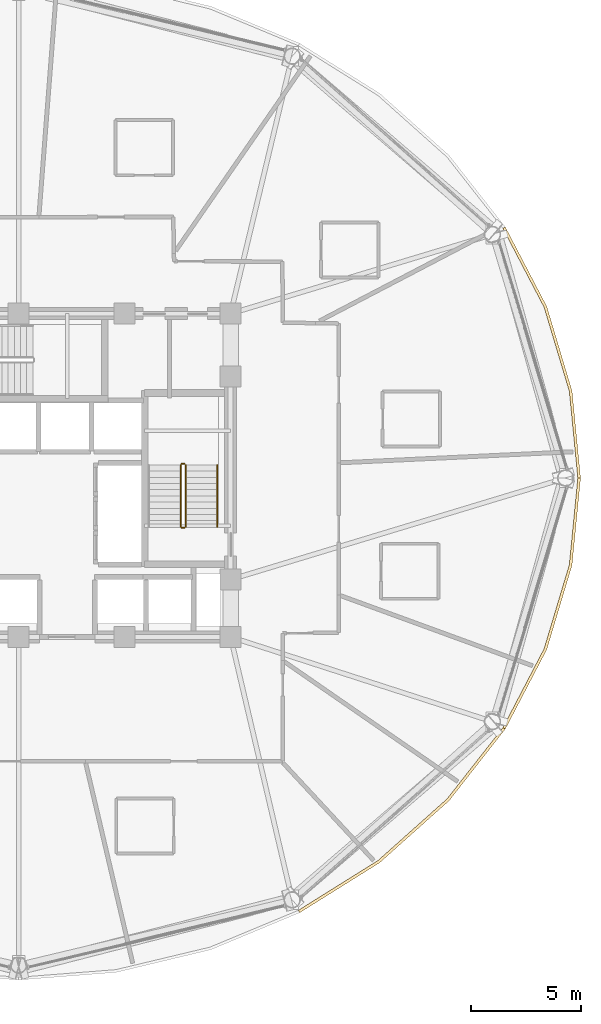
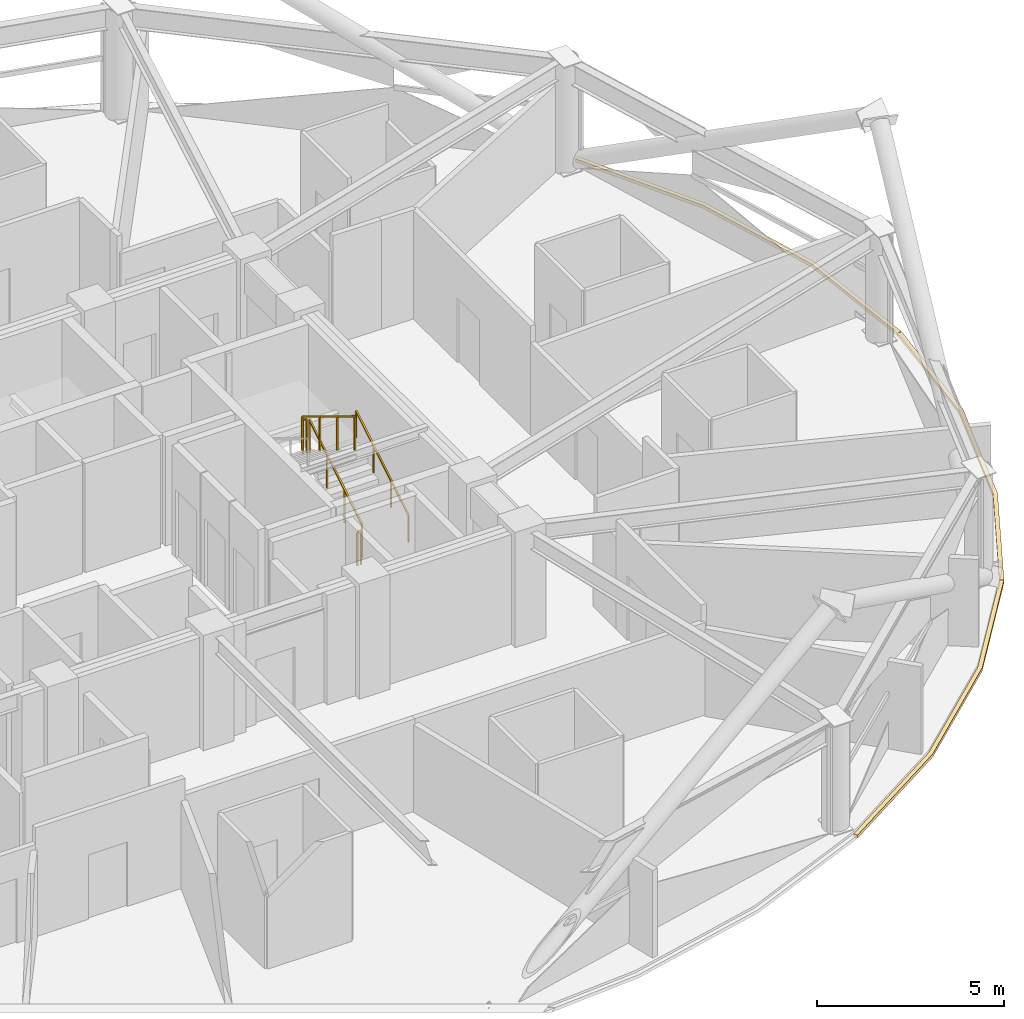
# One storey, part 28 of 29: 5 railings, 3 coverings.
"""IFC4 building model written with IfcOpenShell, lengths in metres."""

from ifc_helpers import new_model, si_unit, direction, frame, origin, origin_2d, place, context, subcontext, project, spatial, polyline, rectangle, outline, extrude, material, layer, layer_set, type_object, element, save


model = new_model("IFC4")

# Units and contexts
model_context = context("Model", 3, precision=1e-05, world=origin(), true_north=direction((0.0, 1.0)))
body_context = subcontext(model_context, "Body", "Model", "MODEL_VIEW")
ifc_project = project(units=[si_unit("LENGTHUNIT", "METRE"), si_unit("AREAUNIT", "SQUARE_METRE"), si_unit("VOLUMEUNIT", "CUBIC_METRE"), si_unit("PLANEANGLEUNIT", "RADIAN"), si_unit("MASSUNIT", "GRAM", prefix="KILO")], contexts=[model_context])

# Site, building, storey
site_placement = place(None, origin())
site = spatial("IfcSite", under=ifc_project, at=site_placement, CompositionType="ELEMENT")
building_placement = place(site_placement, origin())
building = spatial("IfcBuilding", under=site, at=building_placement, Name="Vantalir Tower", CompositionType="ELEMENT")
storey_placement = place(building_placement, frame((0.0, 0.0, 157.199951171875)))
storey = spatial("IfcBuildingStorey", under=building, at=storey_placement, Name="L39", CompositionType="ELEMENT", Elevation=157.199951171875)

# Coverings
ifc_material_1 = material(Name="Anodised champagne aluminium sill fascia", Category="aluminium")
ifc_layer = layer(ifc_material_1, 0.125)
ifc_layer_set = layer_set([ifc_layer], Name="Anodised champagne aluminium sill fascia")
covering_type = type_object("IfcCoveringType", Name="COV-SLAB-FASCIA-125", PredefinedType="CLADDING", material=ifc_layer_set)
covering_1_placement = place(storey_placement, frame((0.0, 0.0, -0.179931640625)))
element("IfcCovering", 1, at=covering_1_placement, inside=storey, type_object=covering_type, Name="L39 Perimeter Slab-Edge Sill Fascia 01", PredefinedType="CLADDING", context=body_context, shape_type="SweptSolid", body=[
    extrude(outline(polyline([(56.9580078125, 25.0), (56.571044921875, 28.948974609375), (55.423095703125, 32.779052734375), (53.547119140625, 36.3720703125), (53.43896484375, 36.30908203125), (55.304931640625, 32.736083984375), (56.447998046875, 28.927978515625), (56.8330078125, 25.0), (56.9580078125, 25.0)])), origin(), (0.0, 0.0, 1.0), 0.10498046875),
])
covering_2_placement = place(storey_placement, frame((0.0, 0.0, -0.179931640625)))
element("IfcCovering", 2, at=covering_2_placement, inside=storey, type_object=covering_type, Name="L39 Perimeter Slab-Edge Sill Fascia 11", PredefinedType="CLADDING", context=body_context, shape_type="SweptSolid", body=[
    extrude(outline(polyline([(44.22900390625, 5.302978515625), (47.864013671875, 7.576904296875), (51.001953125, 10.3798828125), (53.547119140625, 13.6279296875), (53.43896484375, 13.68994140625), (50.906005859375, 10.4609375), (47.783935546875, 7.673095703125), (44.1669921875, 5.410888671875), (44.22900390625, 5.302978515625)])), origin(), (0.0, 0.0, 1.0), 0.10498046875),
])
covering_3_placement = place(storey_placement, frame((0.0, 0.0, -0.179931640625)))
element("IfcCovering", 3, at=covering_3_placement, inside=storey, type_object=covering_type, Name="L39 Perimeter Slab-Edge Sill Fascia 12", PredefinedType="CLADDING", context=body_context, shape_type="SweptSolid", body=[
    extrude(outline(polyline([(53.547119140625, 13.6279296875), (55.423095703125, 17.220947265625), (56.571044921875, 21.051025390625), (56.9580078125, 25.0), (56.8330078125, 25.0), (56.447998046875, 21.072021484375), (55.304931640625, 17.263916015625), (53.43896484375, 13.68994140625), (53.547119140625, 13.6279296875)])), origin(), (0.0, 0.0, 1.0), 0.10498046875),
])

# Railings
ifc_material_2 = material(Name="Anodised aluminium and stainless steel guard", Category="steel")
railing_type_1 = type_object("IfcRailingType", Name="RAL-GUARD-1120", PredefinedType="GUARDRAIL", material=ifc_material_2)
railing_1_placement = place(storey_placement, frame((39.06005859375, 22.7900390625, 0.17041015625)))
element("IfcRailing", 4, at=railing_1_placement, inside=storey, type_object=railing_type_1, Name="L39 ST2 stair guard 1", PredefinedType="GUARDRAIL", context=body_context, shape_type="SweptSolid", body=[
    extrude(rectangle(XDim=0.048095703125, YDim=0.048095703125, at=origin_2d()), frame((0.0, 0.0, 1.09619140625), z_axis=(0.0, 0.854169791009, 0.51999420009), x_axis=(-1.0, 0.0, 0.0)), (0.0, 0.0, 1.0), 3.278076171875),
    extrude(rectangle(XDim=0.0419921875, YDim=0.0419921875, at=origin_2d()), origin(), (0.0, 0.0, 1.0), 1.072021484375),
    extrude(rectangle(XDim=0.0419921875, YDim=0.0419921875, at=origin_2d()), frame((0.0, 0.933349609375, 0.568115234375)), (0.0, 0.0, 1.0), 1.072021484375),
    extrude(rectangle(XDim=0.0419921875, YDim=0.0419921875, at=origin_2d()), frame((0.0, 1.86669921875, 1.136474609375)), (0.0, 0.0, 1.0), 1.072021484375),
    extrude(rectangle(XDim=0.0419921875, YDim=0.0419921875, at=origin_2d()), frame((0.0, 2.800048828125, 1.70458984375)), (0.0, 0.0, 1.0), 1.072021484375),
])
railing_2_placement = place(storey_placement, frame((39.010009765625, 25.639892578125, 1.875)))
element("IfcRailing", 5, at=railing_2_placement, inside=storey, type_object=railing_type_1, Name="L39 ST2 stair guard 2", PredefinedType="GUARDRAIL", context=body_context, shape_type="SweptSolid", body=[
    extrude(rectangle(XDim=0.048095703125, YDim=0.048095703125, at=origin_2d()), frame((0.0, 0.0, 1.09619140625), z_axis=(-1.0, 0.0, 0.0), x_axis=(0.0, -1.0, 0.0)), (0.0, 0.0, 1.0), 0.1201171875),
    extrude(rectangle(XDim=0.0419921875, YDim=0.0419921875, at=origin_2d()), origin(), (0.0, 0.0, 1.0), 1.072021484375),
    extrude(rectangle(XDim=0.0419921875, YDim=0.0419921875, at=origin_2d()), frame((-0.1201171875, 0.0, 0.0)), (0.0, 0.0, 1.0), 1.072021484375),
])
railing_3_placement = place(storey_placement, frame((38.840087890625, 25.590087890625, 2.04541015625)))
element("IfcRailing", 6, at=railing_3_placement, inside=storey, type_object=railing_type_1, Name="L39 ST2 stair guard 3", PredefinedType="GUARDRAIL", context=body_context, shape_type="SweptSolid", body=[
    extrude(rectangle(XDim=0.048095703125, YDim=0.048095703125, at=origin_2d()), frame((0.0, 0.0, 1.09619140625), z_axis=(0.0, -0.854169791009, 0.51999420009), x_axis=(1.0, 0.0, 0.0)), (0.0, 0.0, 1.0), 3.278076171875),
    extrude(rectangle(XDim=0.0419921875, YDim=0.0419921875, at=origin_2d()), origin(), (0.0, 0.0, 1.0), 1.072021484375),
    extrude(rectangle(XDim=0.0419921875, YDim=0.0419921875, at=origin_2d()), frame((0.0, -0.933349609375, 0.568115234375)), (0.0, 0.0, 1.0), 1.072021484375),
    extrude(rectangle(XDim=0.0419921875, YDim=0.0419921875, at=origin_2d()), frame((0.0, -1.86669921875, 1.136474609375)), (0.0, 0.0, 1.0), 1.072021484375),
    extrude(rectangle(XDim=0.0419921875, YDim=0.0419921875, at=origin_2d()), frame((0.0, -2.800048828125, 1.70458984375)), (0.0, 0.0, 1.0), 1.072021484375),
])
railing_4_placement = place(storey_placement, frame((39.010009765625, 22.739990234375, 0.0)))
element("IfcRailing", 7, at=railing_4_placement, inside=storey, type_object=railing_type_1, Name="L39 ST2 stair guard 4", PredefinedType="GUARDRAIL", context=body_context, shape_type="SweptSolid", body=[
    extrude(rectangle(XDim=0.048095703125, YDim=0.048095703125, at=origin_2d()), frame((0.0, 0.0, 1.09619140625), z_axis=(-1.0, 0.0, 0.0), x_axis=(0.0, -1.0, 0.0)), (0.0, 0.0, 1.0), 0.1201171875),
    extrude(rectangle(XDim=0.0419921875, YDim=0.0419921875, at=origin_2d()), origin(), (0.0, 0.0, 1.0), 1.072021484375),
    extrude(rectangle(XDim=0.0419921875, YDim=0.0419921875, at=origin_2d()), frame((-0.1201171875, 0.0, 0.0)), (0.0, 0.0, 1.0), 1.072021484375),
])
ifc_material_3 = material(Name="Brushed stainless steel tubular handrail", Category="steel")
railing_type_2 = type_object("IfcRailingType", Name="RAL-HANDRAIL-900", PredefinedType="HANDRAIL", material=ifc_material_3)
railing_5_placement = place(storey_placement, frame((40.5, 22.7900390625, 0.17041015625)))
element("IfcRailing", 8, at=railing_5_placement, inside=storey, type_object=railing_type_2, Name="L39 ST2 stair handrail 1", PredefinedType="HANDRAIL", context=body_context, shape_type="SweptSolid", body=[
    extrude(rectangle(XDim=0.048095703125, YDim=0.048095703125, at=origin_2d()), frame((0.0, 0.0, 0.8759765625), z_axis=(0.0, 0.854169791009, 0.51999420009), x_axis=(-1.0, 0.0, 0.0)), (0.0, 0.0, 1.0), 3.278076171875),
    extrude(rectangle(XDim=0.0419921875, YDim=0.0419921875, at=origin_2d()), origin(), (0.0, 0.0, 1.0), 0.851806640625),
    extrude(rectangle(XDim=0.0419921875, YDim=0.0419921875, at=origin_2d()), frame((0.0, 0.933349609375, 0.568115234375)), (0.0, 0.0, 1.0), 0.851806640625),
    extrude(rectangle(XDim=0.0419921875, YDim=0.0419921875, at=origin_2d()), frame((0.0, 1.86669921875, 1.136474609375)), (0.0, 0.0, 1.0), 0.851806640625),
    extrude(rectangle(XDim=0.0419921875, YDim=0.0419921875, at=origin_2d()), frame((0.0, 2.800048828125, 1.70458984375)), (0.0, 0.0, 1.0), 0.851806640625),
])

save(model, "model.ifc")
